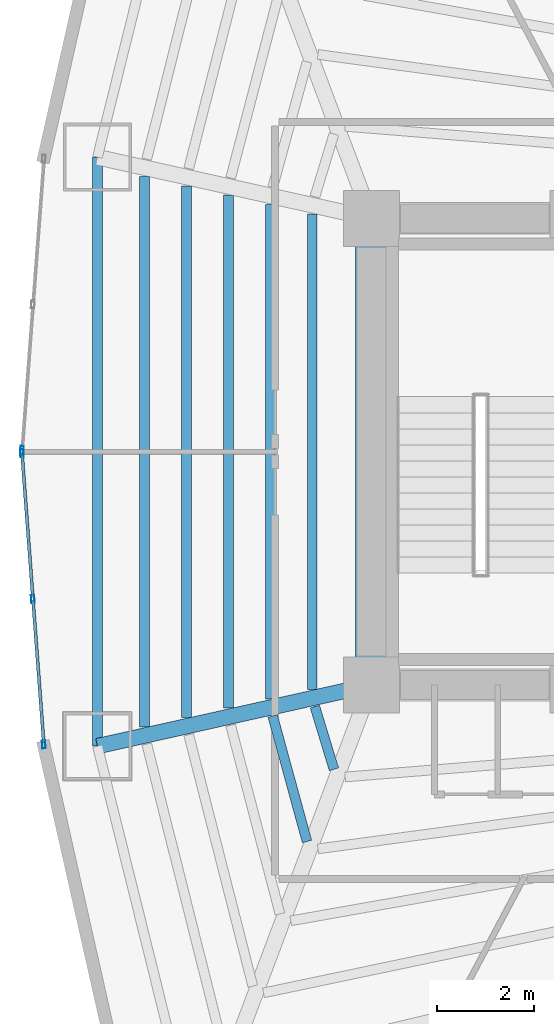
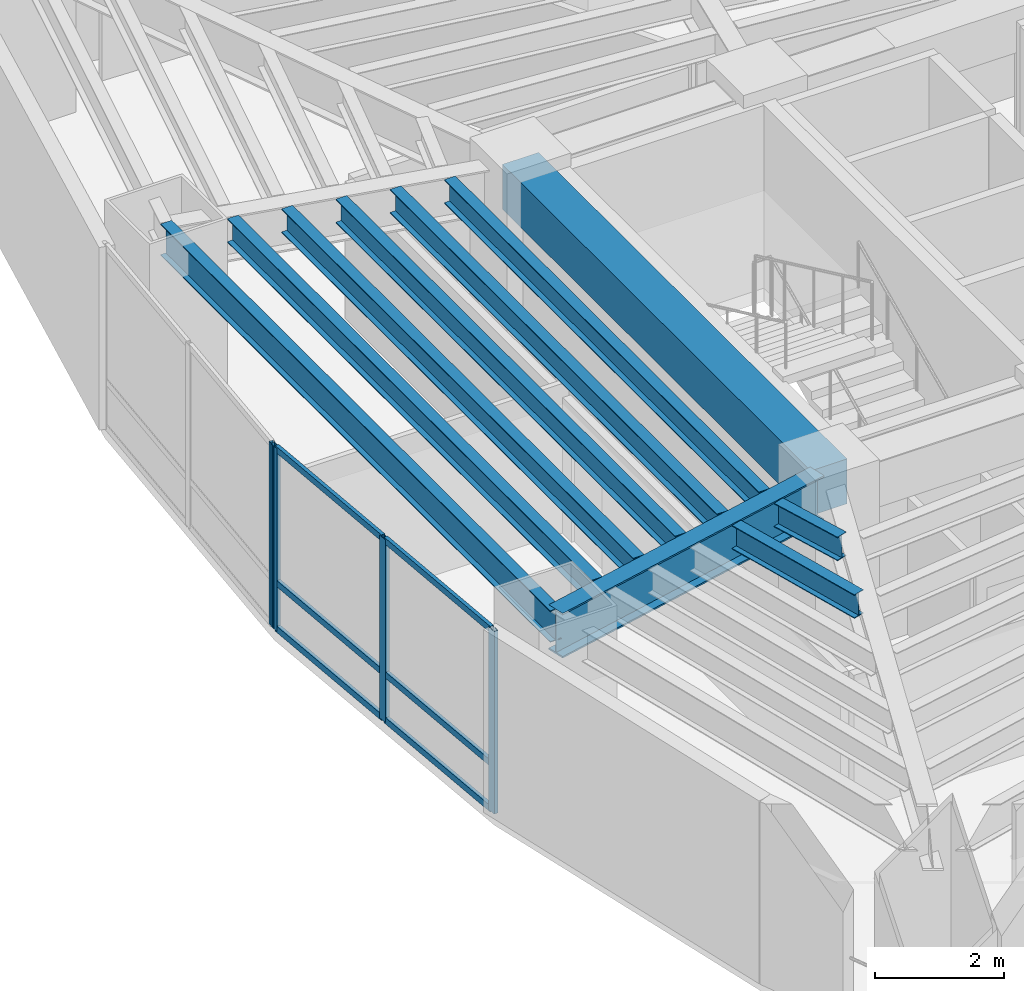
# One storey, part 3 of 18: 10 beams, 10 members, 2 elements without a shape of their own.
"""IFC4 building model written with IfcOpenShell, lengths in metres."""

import ifcopenshell
import ifcopenshell.guid

model = None  # the IFC model being written
_history = None  # IfcOwnerHistory: only IFC2X3 demands one
_inside = {}  # id of a spatial element -> (the spatial element, [elements in it])
_under = {}  # id of a project, library or spatial element -> (it, [spatial elements below it])
_declared = {}  # id of a project -> (the project, [libraries it declares])
_typed = {}  # id of a type object -> (the type object, [elements of that type])
_made_of = {}  # id of a material, layer set ... -> (it, [elements and type objects made of it])


def new_model(schema):
    """Start an empty IFC model of exactly this schema.

    Asked for "IFC4X3", IfcOpenShell would pick the latest addendum, in which some entities
    have other attributes; the version numbers below select the first issue.
    IFC2X3 requires an IfcOwnerHistory on every rooted entity: one is made here for all.
    """
    global model, _history
    if schema == "IFC4X3":
        model = ifcopenshell.file(schema_version=(4, 3, 0, 0))
    else:
        model = ifcopenshell.file(schema=schema)
    _inside.clear()
    _under.clear()
    _declared.clear()
    _typed.clear()
    _made_of.clear()
    _history = None
    if model.schema == "IFC2X3":
        org = make("IfcOrganization", Name="unknown")
        user = make(
            "IfcPersonAndOrganization",
            ThePerson=make("IfcPerson", FamilyName="unknown"),
            TheOrganization=org,
        )
        app = make(
            "IfcApplication",
            ApplicationDeveloper=org,
            Version="unknown",
            ApplicationFullName="unknown",
            ApplicationIdentifier="unknown",
        )
        _history = make(
            "IfcOwnerHistory",
            OwningUser=user,
            OwningApplication=app,
            ChangeAction="ADDED",
            CreationDate=0,
        )
    return model


def make(cls, **values):
    """One entity of the class cls with the attributes given. An attribute that is None is left unset."""
    return model.create_entity(
        cls, **{name: value for name, value in values.items() if value is not None}
    )


def rooted(cls, **values):
    """An entity with a GlobalId (a new one), such as an element, a storey or a relation."""
    return make(cls, GlobalId=ifcopenshell.guid.new(), OwnerHistory=_history, **values)


def si_unit(unit_type, name, prefix=None):
    """IfcSIUnit, for example si_unit("LENGTHUNIT", "METRE", prefix="MILLI")."""
    return make("IfcSIUnit", UnitType=unit_type, Prefix=prefix, Name=name)


def assignment(units):
    """IfcUnitAssignment: the units of a project."""
    return None if units is None else make("IfcUnitAssignment", Units=units)


def point(xyz):
    """IfcCartesianPoint."""
    return None if xyz is None else make("IfcCartesianPoint", Coordinates=xyz)


def direction(xyz):
    """IfcDirection."""
    return None if xyz is None else make("IfcDirection", DirectionRatios=xyz)


def frame(location, z_axis=None, x_axis=None):
    """IfcAxis2Placement3D, a coordinate frame: its origin and axes. An axis left out is left unset."""
    return make(
        "IfcAxis2Placement3D",
        Location=point(location),
        Axis=direction(z_axis),
        RefDirection=direction(x_axis),
    )


def frame_2d(location, x_axis=None):
    """IfcAxis2Placement2D, a coordinate frame in the plane: its origin and x axis."""
    return make(
        "IfcAxis2Placement2D", Location=point(location), RefDirection=direction(x_axis)
    )


def origin():
    """The frame at (0, 0, 0) with its axes left unset."""
    return frame((0.0, 0.0, 0.0))


def origin_2d():
    """The frame at (0, 0) in the plane with its x axis left unset."""
    return frame_2d((0.0, 0.0))


def place(relative_to, where):
    """IfcLocalPlacement: puts the frame where relative to a parent placement (None: the world)."""
    return make(
        "IfcLocalPlacement", PlacementRelTo=relative_to, RelativePlacement=where
    )


def context(
    kind, dimensions, precision=None, world=None, true_north=None, identifier=None
):
    """IfcGeometricRepresentationContext, for example the 3D "Model" context."""
    return make(
        "IfcGeometricRepresentationContext",
        ContextIdentifier=identifier,
        ContextType=kind,
        CoordinateSpaceDimension=dimensions,
        Precision=precision,
        WorldCoordinateSystem=world,
        TrueNorth=true_north,
    )


def subcontext(parent, identifier, kind, view, scale=None):
    """IfcGeometricRepresentationSubContext, for example "Body" below "Model"."""
    return make(
        "IfcGeometricRepresentationSubContext",
        ContextIdentifier=identifier,
        ContextType=kind,
        ParentContext=parent,
        TargetScale=scale,
        TargetView=view,
    )


def project(units=None, contexts=None):
    """IfcProject with its units and contexts."""
    return rooted(
        "IfcProject",
        Name="project",
        RepresentationContexts=contexts,
        UnitsInContext=assignment(units),
    )


def spatial(cls, under=None, at=None, **own):
    """A site, building, storey or space (cls), placed at a placement, below another one or the project."""
    s = rooted(cls, ObjectPlacement=at, **own)
    if under is not None:
        _under.setdefault(under.id(), (under, []))[1].append(s)
    return s


def profile(cls, at=None, kind="AREA", **sizes):
    """A parametric profile (cls). Its sizes go by their IFC names, for example OverallWidth=200.0."""
    return make(cls, ProfileType=kind, Position=at, **sizes)


def rectangle(**sizes):
    """IfcRectangleProfileDef."""
    return profile("IfcRectangleProfileDef", **sizes)


def hollow_rectangle(**sizes):
    """IfcRectangleHollowProfileDef."""
    return profile("IfcRectangleHollowProfileDef", **sizes)


def i_section(**sizes):
    """IfcIShapeProfileDef."""
    return profile("IfcIShapeProfileDef", **sizes)


def extrude(swept, where, along, depth):
    """IfcExtrudedAreaSolid: the profile swept, set in the frame where, extruded along a direction by depth."""
    return make(
        "IfcExtrudedAreaSolid",
        SweptArea=swept,
        Position=where,
        ExtrudedDirection=direction(along),
        Depth=depth,
    )


def shape(context_of_items, identifier, shape_type, items):
    """IfcShapeRepresentation: the items that make up one representation, for example the "Body"."""
    return make(
        "IfcShapeRepresentation",
        ContextOfItems=context_of_items,
        RepresentationIdentifier=identifier,
        RepresentationType=shape_type,
        Items=items,
    )


def material(Name=None, Category=None):
    """IfcMaterial."""
    return make("IfcMaterial", Name=Name, Category=Category)


def layer(
    of_material, thickness, ventilated=None, Name=None, Category=None, Priority=None
):
    """IfcMaterialLayer: one layer of a wall or slab, of a material (None: an air gap)."""
    return make(
        "IfcMaterialLayer",
        Material=of_material,
        LayerThickness=thickness,
        IsVentilated=ventilated,
        Name=Name,
        Category=Category,
        Priority=Priority,
    )


def layer_set(layers, Name=None):
    """IfcMaterialLayerSet."""
    return make("IfcMaterialLayerSet", MaterialLayers=layers, LayerSetName=Name)


def material_profile(
    of_material, cross_section, Name=None, Category=None, Priority=None
):
    """IfcMaterialProfile: a cross section and its material."""
    return make(
        "IfcMaterialProfile",
        Name=Name,
        Material=of_material,
        Profile=cross_section,
        Priority=Priority,
        Category=Category,
    )


def profile_set(profiles, Name=None, composite=None):
    """IfcMaterialProfileSet."""
    return make(
        "IfcMaterialProfileSet",
        Name=Name,
        MaterialProfiles=profiles,
        CompositeProfile=composite,
    )


def made_of(thing, what):
    """Note that an element or type object is made of a material, layer set ...; save() writes the relation."""
    if what is not None:
        _made_of.setdefault(what.id(), (what, []))[1].append(thing)
    return thing


def type_object(cls, material=None, **own):
    """A type object (cls), such as IfcWallType, which elements share."""
    return made_of(rooted(cls, **own), material)


def element(
    cls,
    number,
    at=None,
    inside=None,
    cuts=None,
    type_object=None,
    material=None,
    context=None,
    identifier="Body",
    shape_type=None,
    held_by="IfcProductDefinitionShape",
    body=None,
    shapes=None,
    **own,
):
    """One element of the class cls, such as IfcWall. Its Tag is "e" and its number.

    at: its placement. inside: the storey or other place that contains it. cuts: it is an
    opening in that element (IfcRelVoidsElement). A single representation is given by context,
    identifier, shape_type and body (its items); several are given by shapes. held_by: the class
    of the entity that holds the representations. save() writes the other relations.
    """
    e = rooted(cls, Tag="e%d" % number, ObjectPlacement=at, **own)
    if body is not None:
        shapes = [shape(context, identifier, shape_type, body)]
    if shapes is not None:
        e.Representation = make(held_by, Representations=shapes)
    if inside is not None:
        _inside.setdefault(inside.id(), (inside, []))[1].append(e)
    if cuts is not None:
        rooted(
            "IfcRelVoidsElement", RelatingBuildingElement=cuts, RelatedOpeningElement=e
        )
    if type_object is not None:
        _typed.setdefault(type_object.id(), (type_object, []))[1].append(e)
    return made_of(e, material)


def aggregate(whole, parts):
    """IfcRelAggregates: a whole, such as a stair, and the parts it consists of."""
    return rooted("IfcRelAggregates", RelatingObject=whole, RelatedObjects=parts)


def save(model, path):
    """Write the relations noted so far, then the file.

    IfcRelAggregates (storeys below a building ...), IfcRelContainedInSpatialStructure (elements
    in a storey), IfcRelDefinesByType, IfcRelAssociatesMaterial and IfcRelDeclares: one each for
    every whole, place, type object, material and project.
    """
    for whole, parts in _under.values():
        aggregate(whole, parts)
    for where, things in _inside.values():
        rooted(
            "IfcRelContainedInSpatialStructure",
            RelatedElements=things,
            RelatingStructure=where,
        )
    for kind, things in _typed.values():
        rooted("IfcRelDefinesByType", RelatedObjects=things, RelatingType=kind)
    for what, things in _made_of.values():
        rooted("IfcRelAssociatesMaterial", RelatedObjects=things, RelatingMaterial=what)
    for by, libraries in _declared.values():
        rooted("IfcRelDeclares", RelatingContext=by, RelatedDefinitions=libraries)
    model.write(path)


model = new_model("IFC4")

# Units and contexts
model_context = context("Model", 3, precision=1e-05, world=origin(), true_north=direction((0.0, 1.0)))
body_context = subcontext(model_context, "Body", "Model", "MODEL_VIEW")
ifc_project = project(units=[si_unit("LENGTHUNIT", "METRE"), si_unit("AREAUNIT", "SQUARE_METRE"), si_unit("VOLUMEUNIT", "CUBIC_METRE"), si_unit("PLANEANGLEUNIT", "RADIAN"), si_unit("MASSUNIT", "GRAM", prefix="KILO")], contexts=[model_context])

# Site, building, storey
site_placement = place(None, origin())
site = spatial("IfcSite", under=ifc_project, at=site_placement, CompositionType="ELEMENT")
building_placement = place(site_placement, origin())
building = spatial("IfcBuilding", under=site, at=building_placement, Name="Menara Vayukalpa", CompositionType="ELEMENT")
storey_placement = place(building_placement, frame((0.0, 0.0, 31.320068359375)))
storey = spatial("IfcBuildingStorey", under=building, at=storey_placement, Name="L06", CompositionType="ELEMENT", Elevation=31.320068359375)

# Beams
ifc_material_1 = material(Name="Concrete C60/75", Category="concrete")
ifc_material_profile_1 = material_profile(ifc_material_1, rectangle(XDim=0.64990234375, YDim=0.85009765625, at=origin_2d()), Name="RC 650x850")
ifc_profile_set_1 = profile_set([ifc_material_profile_1], Name="Concrete C60/75")
beam_type_1 = type_object("IfcBeamType", Name="BM-CB1", PredefinedType="BEAM", material=ifc_profile_set_1)
beam_1_placement = place(storey_placement, frame((17.800048828125, 17.199951171875, 3.044921875), z_axis=(0.0, 1.0, 0.0), x_axis=(-1.0, 0.0, 0.0)))
element("IfcBeam", 1, at=beam_1_placement, inside=storey, type_object=beam_type_1, Name="L06 Core Tie Beam CBR7", PredefinedType="BEAM", context=body_context, shape_type="SweptSolid", body=[
    extrude(rectangle(XDim=0.64990234375, YDim=0.85009765625, at=origin_2d()), origin(), (0.0, 0.0, 1.0), 9.60009765625),
])
ifc_material_2 = material(Name="Steel S355", Category="steel")
ifc_material_profile_2 = material_profile(ifc_material_2, i_section(OverallWidth=0.320068359375, OverallDepth=0.85009765625, WebThickness=0.01611328125, FlangeThickness=0.030029296875, at=origin_2d()), Name="WF 850x320x16x30")
ifc_profile_set_2 = profile_set([ifc_material_profile_2], Name="Steel S355")
beam_type_2 = type_object("IfcBeamType", Name="BM-PG2", PredefinedType="BEAM", material=ifc_profile_set_2)
beam_2_placement = place(storey_placement, frame((17.555908203125, 17.1455078125, 3.044921875), z_axis=(-0.975920137818, -0.218128138031, 0.0), x_axis=(0.218128138031, -0.975920137818, 0.0)))
element("IfcBeam", 2, at=beam_2_placement, inside=storey, type_object=beam_type_2, Name="L06 Primary Radial Girder RG06", PredefinedType="BEAM", context=body_context, shape_type="SweptSolid", body=[
    extrude(i_section(OverallWidth=0.320068359375, OverallDepth=0.85009765625, WebThickness=0.01611328125, FlangeThickness=0.030029296875, at=origin_2d()), origin(), (0.0, 0.0, 1.0), 5.524658203125),
])
ifc_material_3 = material(Name="Steel S355", Category="steel")
ifc_material_profile_3 = material_profile(ifc_material_3, i_section(OverallWidth=0.199951171875, OverallDepth=0.449951171875, WebThickness=0.009033203125, FlangeThickness=0.013916015625, at=origin_2d()), Name="WF 450x200x9x14")
ifc_profile_set_3 = profile_set([ifc_material_profile_3], Name="Steel S355")
beam_type_3 = type_object("IfcBeamType", Name="BM-SJ1", PredefinedType="JOIST", material=ifc_profile_set_3)
beam_3_placement = place(storey_placement, frame((16.58544921875, 26.891357421875, 3.244873046875), z_axis=(0.0, -1.0, 0.0), x_axis=(1.0, 0.0, 0.0)))
element("IfcBeam", 3, at=beam_3_placement, inside=storey, type_object=beam_type_3, Name="L06 Secondary Floor Joist SJ05-1", PredefinedType="JOIST", context=body_context, shape_type="SweptSolid", body=[
    extrude(i_section(OverallWidth=0.199951171875, OverallDepth=0.449951171875, WebThickness=0.009033203125, FlangeThickness=0.013916015625, at=origin_2d()), origin(), (0.0, 0.0, 1.0), 9.78271484375),
])
beam_4_placement = place(storey_placement, frame((15.722900390625, 27.084228515625, 3.244873046875), z_axis=(0.0, -1.0, 0.0), x_axis=(1.0, 0.0, 0.0)))
element("IfcBeam", 4, at=beam_4_placement, inside=storey, type_object=beam_type_3, Name="L06 Secondary Floor Joist SJ05-2", PredefinedType="JOIST", context=body_context, shape_type="SweptSolid", body=[
    extrude(i_section(OverallWidth=0.199951171875, OverallDepth=0.449951171875, WebThickness=0.009033203125, FlangeThickness=0.013916015625, at=origin_2d()), origin(), (0.0, 0.0, 1.0), 10.16845703125),
])
beam_5_placement = place(storey_placement, frame((14.860107421875, 27.277099609375, 3.244873046875), z_axis=(0.0, -1.0, 0.0), x_axis=(1.0, 0.0, 0.0)))
element("IfcBeam", 5, at=beam_5_placement, inside=storey, type_object=beam_type_3, Name="L06 Secondary Floor Joist SJ05-3", PredefinedType="JOIST", context=body_context, shape_type="SweptSolid", body=[
    extrude(i_section(OverallWidth=0.199951171875, OverallDepth=0.449951171875, WebThickness=0.009033203125, FlangeThickness=0.013916015625, at=origin_2d()), origin(), (0.0, 0.0, 1.0), 10.55419921875),
])
beam_6_placement = place(storey_placement, frame((13.997314453125, 27.469970703125, 3.244873046875), z_axis=(0.0, -1.0, 0.0), x_axis=(1.0, 0.0, 0.0)))
element("IfcBeam", 6, at=beam_6_placement, inside=storey, type_object=beam_type_3, Name="L06 Secondary Floor Joist SJ05-4", PredefinedType="JOIST", context=body_context, shape_type="SweptSolid", body=[
    extrude(i_section(OverallWidth=0.199951171875, OverallDepth=0.449951171875, WebThickness=0.009033203125, FlangeThickness=0.013916015625, at=origin_2d()), origin(), (0.0, 0.0, 1.0), 10.93994140625),
])
beam_7_placement = place(storey_placement, frame((13.134765625, 27.66259765625, 3.244873046875), z_axis=(0.0, -1.0, 0.0), x_axis=(1.0, 0.0, 0.0)))
element("IfcBeam", 7, at=beam_7_placement, inside=storey, type_object=beam_type_3, Name="L06 Secondary Floor Joist SJ05-5", PredefinedType="JOIST", context=body_context, shape_type="SweptSolid", body=[
    extrude(i_section(OverallWidth=0.199951171875, OverallDepth=0.449951171875, WebThickness=0.009033203125, FlangeThickness=0.013916015625, at=origin_2d()), origin(), (0.0, 0.0, 1.0), 11.3251953125),
])
beam_8_placement = place(storey_placement, frame((16.6376953125, 16.75634765625, 3.244873046875), z_axis=(0.291010568606, -0.956719838281, 0.0), x_axis=(0.956719838281, 0.291010568606, 0.0)))
element("IfcBeam", 8, at=beam_8_placement, inside=storey, type_object=beam_type_3, Name="L06 Secondary Floor Joist SJ06-1", PredefinedType="JOIST", context=body_context, shape_type="SweptSolid", body=[
    extrude(i_section(OverallWidth=0.199951171875, OverallDepth=0.449951171875, WebThickness=0.009033203125, FlangeThickness=0.013916015625, at=origin_2d()), origin(), (0.0, 0.0, 1.0), 1.3505859375),
])
beam_9_placement = place(storey_placement, frame((15.770263671875, 16.56201171875, 3.244873046875), z_axis=(0.263618546233, -0.964627006714, 0.0), x_axis=(0.964627006714, 0.263618546233, 0.0)))
element("IfcBeam", 9, at=beam_9_placement, inside=storey, type_object=beam_type_3, Name="L06 Secondary Floor Joist SJ06-2", PredefinedType="JOIST", context=body_context, shape_type="SweptSolid", body=[
    extrude(i_section(OverallWidth=0.199951171875, OverallDepth=0.449951171875, WebThickness=0.009033203125, FlangeThickness=0.013916015625, at=origin_2d()), origin(), (0.0, 0.0, 1.0), 2.67919921875),
])
ifc_material_4 = material(Name="Steel S355", Category="steel")
ifc_material_profile_4 = material_profile(ifc_material_4, i_section(OverallWidth=0.199951171875, OverallDepth=0.60009765625, WebThickness=0.010986328125, FlangeThickness=0.01708984375, at=origin_2d()), Name="WF 600x200x11x17")
ifc_profile_set_4 = profile_set([ifc_material_profile_4], Name="Steel S355")
beam_type_4 = type_object("IfcBeamType", Name="BM-SP1", PredefinedType="SPANDREL", material=ifc_profile_set_4)
beam_10_placement = place(storey_placement, frame((12.164306640625, 28.0595703125, 3.169921875), z_axis=(0.0, -1.0, 0.0), x_axis=(1.0, 0.0, 0.0)))
element("IfcBeam", 10, at=beam_10_placement, inside=storey, type_object=beam_type_4, Name="L06 Perimeter Spandrel Beam SP05", PredefinedType="SPANDREL", context=body_context, shape_type="SweptSolid", body=[
    extrude(i_section(OverallWidth=0.199951171875, OverallDepth=0.60009765625, WebThickness=0.010986328125, FlangeThickness=0.01708984375, at=origin_2d()), origin(), (0.0, 0.0, 1.0), 12.119140625),
])

# Curtain wall, member
ifc_material_5 = material(Name="Anodised Terracotta Aluminium Alloy 6063-T6", Category="masonry")
ifc_layer = layer(ifc_material_5, 0.1650390625)
ifc_layer_set = layer_set([ifc_layer], Name="Anodised Terracotta Aluminium Alloy 6063-T6")
curtain_wall_type = type_object("IfcCurtainWallType", Name="CW-CW2", PredefinedType="USERDEFINED", material=ifc_layer_set)
curtain_wall_1_placement = place(storey_placement, origin())
curtain_wall_1 = element("IfcCurtainWall", 11, at=curtain_wall_1_placement, inside=storey, type_object=curtain_wall_type, Name="L06 Low Rise Terracotta Ribbon Curtain Wall CW2 10", ObjectType="UNITISED", PredefinedType="USERDEFINED")
ifc_material_6 = material(Name="Anodised Terracotta Aluminium Alloy 6063-T6", Category="masonry")
ifc_material_profile_5 = material_profile(ifc_material_6, hollow_rectangle(XDim=0.070068359375, YDim=0.1650390625, WallThickness=0.00390625, at=origin_2d()), Name="ALU 70x165x4")
ifc_profile_set_5 = profile_set([ifc_material_profile_5], Name="Anodised Terracotta Aluminium Alloy 6063-T6")
member_type_1 = type_object("IfcMemberType", Name="CWM-CW2", PredefinedType="MULLION", material=ifc_profile_set_5)
member_1_placement = place(storey_placement, frame((10.6123046875, 22.034912109375, 0.0), z_axis=(0.0, 0.0, 1.0), x_axis=(0.997198941676, -0.074794857576, 0.0)))
member_1 = element("IfcMember", 12, at=member_1_placement, type_object=member_type_1, Name="CW2 mullion 3", PredefinedType="MULLION", context=body_context, shape_type="SweptSolid", body=[
    extrude(hollow_rectangle(XDim=0.070068359375, YDim=0.1650390625, WallThickness=0.00390625, at=origin_2d()), origin(), (0.0, 0.0, 1.0), 3.469970703125),
])
aggregate(curtain_wall_1, [member_1])

# Curtain wall, members
curtain_wall_2_placement = place(storey_placement, origin())
curtain_wall_2 = element("IfcCurtainWall", 13, at=curtain_wall_2_placement, inside=storey, type_object=curtain_wall_type, Name="L06 Low Rise Terracotta Ribbon Curtain Wall CW2 11", ObjectType="UNITISED", PredefinedType="USERDEFINED")
member_2_placement = place(storey_placement, frame((10.6123046875, 21.965087890625, 0.0), z_axis=(0.0, 0.0, 1.0), x_axis=(0.997198941676, 0.074794857576, 0.0)))
member_2 = element("IfcMember", 14, at=member_2_placement, type_object=member_type_1, Name="CW2 mullion 1", PredefinedType="MULLION", context=body_context, shape_type="SweptSolid", body=[
    extrude(hollow_rectangle(XDim=0.070068359375, YDim=0.1650390625, WallThickness=0.00390625, at=origin_2d()), origin(), (0.0, 0.0, 1.0), 3.469970703125),
])
member_3_placement = place(storey_placement, frame((10.8369140625, 18.97021484375, 0.0), z_axis=(0.0, 0.0, 1.0), x_axis=(0.997198941676, 0.074794857576, 0.0)))
member_3 = element("IfcMember", 15, at=member_3_placement, type_object=member_type_1, Name="CW2 mullion 2", PredefinedType="MULLION", context=body_context, shape_type="SweptSolid", body=[
    extrude(hollow_rectangle(XDim=0.070068359375, YDim=0.1650390625, WallThickness=0.00390625, at=origin_2d()), origin(), (0.0, 0.0, 1.0), 3.469970703125),
])
member_4_placement = place(storey_placement, frame((11.0615234375, 15.975341796875, 0.0), z_axis=(0.0, 0.0, 1.0), x_axis=(0.997198941676, 0.074794857576, 0.0)))
member_4 = element("IfcMember", 16, at=member_4_placement, type_object=member_type_1, Name="CW2 mullion 3", PredefinedType="MULLION", context=body_context, shape_type="SweptSolid", body=[
    extrude(hollow_rectangle(XDim=0.070068359375, YDim=0.1650390625, WallThickness=0.00390625, at=origin_2d()), origin(), (0.0, 0.0, 1.0), 3.469970703125),
])
ifc_material_7 = material(Name="Anodised Terracotta Aluminium Alloy 6063-T6", Category="masonry")
ifc_material_profile_6 = material_profile(ifc_material_7, hollow_rectangle(XDim=0.06494140625, YDim=0.1201171875, WallThickness=0.00341796875, at=origin_2d()), Name="ALU 65x120x3.5")
ifc_profile_set_6 = profile_set([ifc_material_profile_6], Name="Anodised Terracotta Aluminium Alloy 6063-T6")
member_type_2 = type_object("IfcMemberType", Name="CWT-CW2", PredefinedType="USERDEFINED", material=ifc_profile_set_6)
member_5_placement = place(storey_placement, frame((10.614990234375, 21.93017578125, 0.032470703125), z_axis=(0.074742357441, -0.997202878057, 0.0), x_axis=(0.997202878057, 0.074742357441, 0.0)))
member_5 = element("IfcMember", 17, at=member_5_placement, type_object=member_type_2, Name="CW2 transom 1.1", ObjectType="TRANSOM", PredefinedType="USERDEFINED", context=body_context, shape_type="SweptSolid", body=[
    extrude(hollow_rectangle(XDim=0.06494140625, YDim=0.1201171875, WallThickness=0.00341796875, at=origin_2d()), origin(), (0.0, 0.0, 1.0), 2.933349609375),
])
member_6_placement = place(storey_placement, frame((10.614990234375, 21.93017578125, 0.89990234375), z_axis=(0.074742357441, -0.997202878057, 0.0), x_axis=(0.997202878057, 0.074742357441, 0.0)))
member_6 = element("IfcMember", 18, at=member_6_placement, type_object=member_type_2, Name="CW2 transom 1.2", ObjectType="TRANSOM", PredefinedType="USERDEFINED", context=body_context, shape_type="SweptSolid", body=[
    extrude(hollow_rectangle(XDim=0.06494140625, YDim=0.1201171875, WallThickness=0.00341796875, at=origin_2d()), origin(), (0.0, 0.0, 1.0), 2.933349609375),
])
member_7_placement = place(storey_placement, frame((10.614990234375, 21.93017578125, 3.4375), z_axis=(0.074742357441, -0.997202878057, 0.0), x_axis=(0.997202878057, 0.074742357441, 0.0)))
member_7 = element("IfcMember", 19, at=member_7_placement, type_object=member_type_2, Name="CW2 transom 1.3", ObjectType="TRANSOM", PredefinedType="USERDEFINED", context=body_context, shape_type="SweptSolid", body=[
    extrude(hollow_rectangle(XDim=0.06494140625, YDim=0.1201171875, WallThickness=0.00341796875, at=origin_2d()), origin(), (0.0, 0.0, 1.0), 2.933349609375),
])
member_8_placement = place(storey_placement, frame((10.839599609375, 18.935302734375, 0.032470703125), z_axis=(0.074825123723, -0.997196671103, 0.0), x_axis=(0.997196671103, 0.074825123723, 0.0)))
member_8 = element("IfcMember", 20, at=member_8_placement, type_object=member_type_2, Name="CW2 transom 2.1", ObjectType="TRANSOM", PredefinedType="USERDEFINED", context=body_context, shape_type="SweptSolid", body=[
    extrude(hollow_rectangle(XDim=0.06494140625, YDim=0.1201171875, WallThickness=0.00341796875, at=origin_2d()), origin(), (0.0, 0.0, 1.0), 2.933349609375),
])
member_9_placement = place(storey_placement, frame((10.839599609375, 18.935302734375, 0.89990234375), z_axis=(0.074825123723, -0.997196671103, 0.0), x_axis=(0.997196671103, 0.074825123723, 0.0)))
member_9 = element("IfcMember", 21, at=member_9_placement, type_object=member_type_2, Name="CW2 transom 2.2", ObjectType="TRANSOM", PredefinedType="USERDEFINED", context=body_context, shape_type="SweptSolid", body=[
    extrude(hollow_rectangle(XDim=0.06494140625, YDim=0.1201171875, WallThickness=0.00341796875, at=origin_2d()), origin(), (0.0, 0.0, 1.0), 2.933349609375),
])
member_10_placement = place(storey_placement, frame((10.839599609375, 18.935302734375, 3.4375), z_axis=(0.074825123723, -0.997196671103, 0.0), x_axis=(0.997196671103, 0.074825123723, 0.0)))
member_10 = element("IfcMember", 22, at=member_10_placement, type_object=member_type_2, Name="CW2 transom 2.3", ObjectType="TRANSOM", PredefinedType="USERDEFINED", context=body_context, shape_type="SweptSolid", body=[
    extrude(hollow_rectangle(XDim=0.06494140625, YDim=0.1201171875, WallThickness=0.00341796875, at=origin_2d()), origin(), (0.0, 0.0, 1.0), 2.933349609375),
])
aggregate(curtain_wall_2, [member_2, member_3, member_4, member_5, member_6, member_7, member_8, member_9, member_10])

save(model, "model.ifc")
